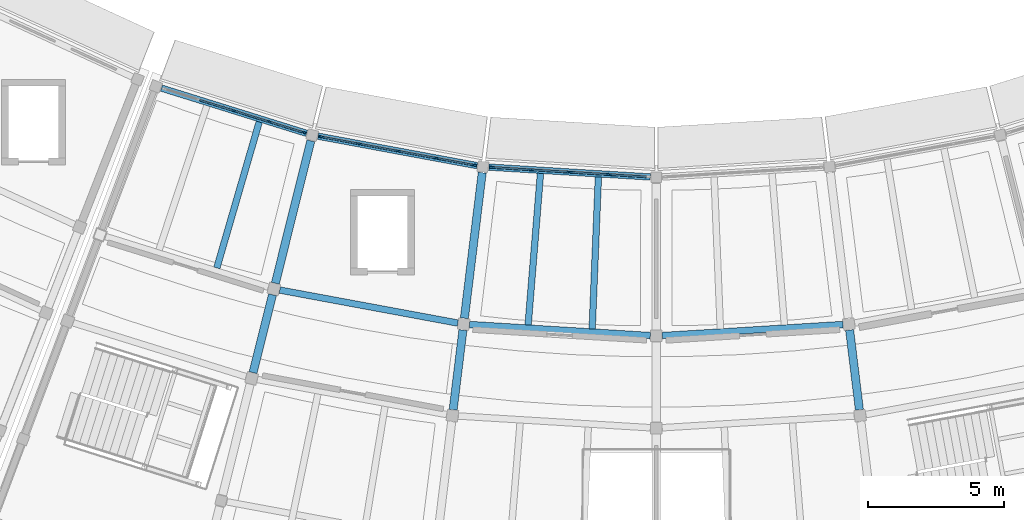
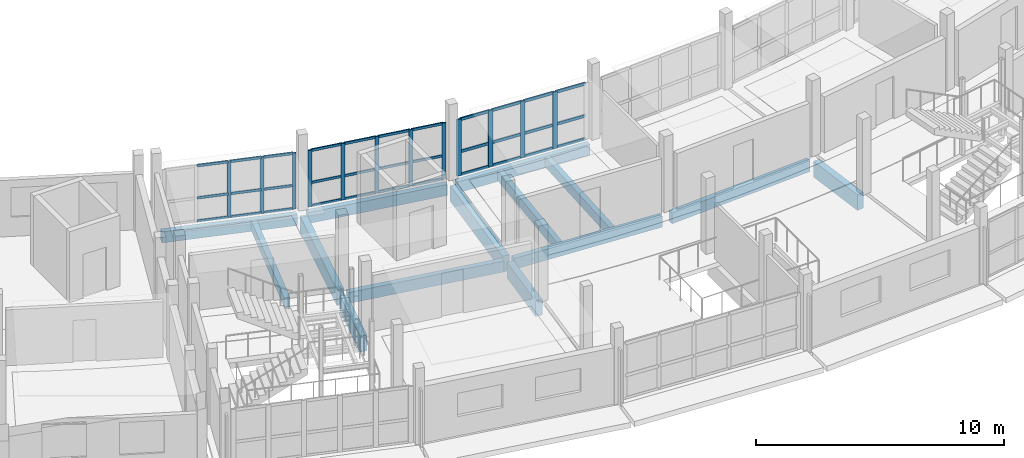
# One storey, part 28 of 77: 45 members, 14 beams, 3 elements without a shape of their own.
"""IFC4 building model written with IfcOpenShell, lengths in metres."""

import ifcopenshell
import ifcopenshell.guid

model = None  # the IFC model being written
_history = None  # IfcOwnerHistory: only IFC2X3 demands one
_inside = {}  # id of a spatial element -> (the spatial element, [elements in it])
_under = {}  # id of a project, library or spatial element -> (it, [spatial elements below it])
_declared = {}  # id of a project -> (the project, [libraries it declares])
_typed = {}  # id of a type object -> (the type object, [elements of that type])
_made_of = {}  # id of a material, layer set ... -> (it, [elements and type objects made of it])


def new_model(schema):
    """Start an empty IFC model of exactly this schema.

    Asked for "IFC4X3", IfcOpenShell would pick the latest addendum, in which some entities
    have other attributes; the version numbers below select the first issue.
    IFC2X3 requires an IfcOwnerHistory on every rooted entity: one is made here for all.
    """
    global model, _history
    if schema == "IFC4X3":
        model = ifcopenshell.file(schema_version=(4, 3, 0, 0))
    else:
        model = ifcopenshell.file(schema=schema)
    _inside.clear()
    _under.clear()
    _declared.clear()
    _typed.clear()
    _made_of.clear()
    _history = None
    if model.schema == "IFC2X3":
        org = make("IfcOrganization", Name="unknown")
        user = make(
            "IfcPersonAndOrganization",
            ThePerson=make("IfcPerson", FamilyName="unknown"),
            TheOrganization=org,
        )
        app = make(
            "IfcApplication",
            ApplicationDeveloper=org,
            Version="unknown",
            ApplicationFullName="unknown",
            ApplicationIdentifier="unknown",
        )
        _history = make(
            "IfcOwnerHistory",
            OwningUser=user,
            OwningApplication=app,
            ChangeAction="ADDED",
            CreationDate=0,
        )
    return model


def make(cls, **values):
    """One entity of the class cls with the attributes given. An attribute that is None is left unset."""
    return model.create_entity(
        cls, **{name: value for name, value in values.items() if value is not None}
    )


def rooted(cls, **values):
    """An entity with a GlobalId (a new one), such as an element, a storey or a relation."""
    return make(cls, GlobalId=ifcopenshell.guid.new(), OwnerHistory=_history, **values)


def si_unit(unit_type, name, prefix=None):
    """IfcSIUnit, for example si_unit("LENGTHUNIT", "METRE", prefix="MILLI")."""
    return make("IfcSIUnit", UnitType=unit_type, Prefix=prefix, Name=name)


def assignment(units):
    """IfcUnitAssignment: the units of a project."""
    return None if units is None else make("IfcUnitAssignment", Units=units)


def point(xyz):
    """IfcCartesianPoint."""
    return None if xyz is None else make("IfcCartesianPoint", Coordinates=xyz)


def direction(xyz):
    """IfcDirection."""
    return None if xyz is None else make("IfcDirection", DirectionRatios=xyz)


def frame(location, z_axis=None, x_axis=None):
    """IfcAxis2Placement3D, a coordinate frame: its origin and axes. An axis left out is left unset."""
    return make(
        "IfcAxis2Placement3D",
        Location=point(location),
        Axis=direction(z_axis),
        RefDirection=direction(x_axis),
    )


def frame_2d(location, x_axis=None):
    """IfcAxis2Placement2D, a coordinate frame in the plane: its origin and x axis."""
    return make(
        "IfcAxis2Placement2D", Location=point(location), RefDirection=direction(x_axis)
    )


def origin():
    """The frame at (0, 0, 0) with its axes left unset."""
    return frame((0.0, 0.0, 0.0))


def origin_2d():
    """The frame at (0, 0) in the plane with its x axis left unset."""
    return frame_2d((0.0, 0.0))


def place(relative_to, where):
    """IfcLocalPlacement: puts the frame where relative to a parent placement (None: the world)."""
    return make(
        "IfcLocalPlacement", PlacementRelTo=relative_to, RelativePlacement=where
    )


def context(
    kind, dimensions, precision=None, world=None, true_north=None, identifier=None
):
    """IfcGeometricRepresentationContext, for example the 3D "Model" context."""
    return make(
        "IfcGeometricRepresentationContext",
        ContextIdentifier=identifier,
        ContextType=kind,
        CoordinateSpaceDimension=dimensions,
        Precision=precision,
        WorldCoordinateSystem=world,
        TrueNorth=true_north,
    )


def subcontext(parent, identifier, kind, view, scale=None):
    """IfcGeometricRepresentationSubContext, for example "Body" below "Model"."""
    return make(
        "IfcGeometricRepresentationSubContext",
        ContextIdentifier=identifier,
        ContextType=kind,
        ParentContext=parent,
        TargetScale=scale,
        TargetView=view,
    )


def project(units=None, contexts=None):
    """IfcProject with its units and contexts."""
    return rooted(
        "IfcProject",
        Name="project",
        RepresentationContexts=contexts,
        UnitsInContext=assignment(units),
    )


def spatial(cls, under=None, at=None, **own):
    """A site, building, storey or space (cls), placed at a placement, below another one or the project."""
    s = rooted(cls, ObjectPlacement=at, **own)
    if under is not None:
        _under.setdefault(under.id(), (under, []))[1].append(s)
    return s


def profile(cls, at=None, kind="AREA", **sizes):
    """A parametric profile (cls). Its sizes go by their IFC names, for example OverallWidth=200.0."""
    return make(cls, ProfileType=kind, Position=at, **sizes)


def rectangle(**sizes):
    """IfcRectangleProfileDef."""
    return profile("IfcRectangleProfileDef", **sizes)


def extrude(swept, where, along, depth):
    """IfcExtrudedAreaSolid: the profile swept, set in the frame where, extruded along a direction by depth."""
    return make(
        "IfcExtrudedAreaSolid",
        SweptArea=swept,
        Position=where,
        ExtrudedDirection=direction(along),
        Depth=depth,
    )


def shape(context_of_items, identifier, shape_type, items):
    """IfcShapeRepresentation: the items that make up one representation, for example the "Body"."""
    return make(
        "IfcShapeRepresentation",
        ContextOfItems=context_of_items,
        RepresentationIdentifier=identifier,
        RepresentationType=shape_type,
        Items=items,
    )


def material(Name=None, Category=None):
    """IfcMaterial."""
    return make("IfcMaterial", Name=Name, Category=Category)


def layer(
    of_material, thickness, ventilated=None, Name=None, Category=None, Priority=None
):
    """IfcMaterialLayer: one layer of a wall or slab, of a material (None: an air gap)."""
    return make(
        "IfcMaterialLayer",
        Material=of_material,
        LayerThickness=thickness,
        IsVentilated=ventilated,
        Name=Name,
        Category=Category,
        Priority=Priority,
    )


def layer_set(layers, Name=None):
    """IfcMaterialLayerSet."""
    return make("IfcMaterialLayerSet", MaterialLayers=layers, LayerSetName=Name)


def material_profile(
    of_material, cross_section, Name=None, Category=None, Priority=None
):
    """IfcMaterialProfile: a cross section and its material."""
    return make(
        "IfcMaterialProfile",
        Name=Name,
        Material=of_material,
        Profile=cross_section,
        Priority=Priority,
        Category=Category,
    )


def profile_set(profiles, Name=None, composite=None):
    """IfcMaterialProfileSet."""
    return make(
        "IfcMaterialProfileSet",
        Name=Name,
        MaterialProfiles=profiles,
        CompositeProfile=composite,
    )


def made_of(thing, what):
    """Note that an element or type object is made of a material, layer set ...; save() writes the relation."""
    if what is not None:
        _made_of.setdefault(what.id(), (what, []))[1].append(thing)
    return thing


def type_object(cls, material=None, **own):
    """A type object (cls), such as IfcWallType, which elements share."""
    return made_of(rooted(cls, **own), material)


def element(
    cls,
    number,
    at=None,
    inside=None,
    cuts=None,
    type_object=None,
    material=None,
    context=None,
    identifier="Body",
    shape_type=None,
    held_by="IfcProductDefinitionShape",
    body=None,
    shapes=None,
    **own,
):
    """One element of the class cls, such as IfcWall. Its Tag is "e" and its number.

    at: its placement. inside: the storey or other place that contains it. cuts: it is an
    opening in that element (IfcRelVoidsElement). A single representation is given by context,
    identifier, shape_type and body (its items); several are given by shapes. held_by: the class
    of the entity that holds the representations. save() writes the other relations.
    """
    e = rooted(cls, Tag="e%d" % number, ObjectPlacement=at, **own)
    if body is not None:
        shapes = [shape(context, identifier, shape_type, body)]
    if shapes is not None:
        e.Representation = make(held_by, Representations=shapes)
    if inside is not None:
        _inside.setdefault(inside.id(), (inside, []))[1].append(e)
    if cuts is not None:
        rooted(
            "IfcRelVoidsElement", RelatingBuildingElement=cuts, RelatedOpeningElement=e
        )
    if type_object is not None:
        _typed.setdefault(type_object.id(), (type_object, []))[1].append(e)
    return made_of(e, material)


def aggregate(whole, parts):
    """IfcRelAggregates: a whole, such as a stair, and the parts it consists of."""
    return rooted("IfcRelAggregates", RelatingObject=whole, RelatedObjects=parts)


def save(model, path):
    """Write the relations noted so far, then the file.

    IfcRelAggregates (storeys below a building ...), IfcRelContainedInSpatialStructure (elements
    in a storey), IfcRelDefinesByType, IfcRelAssociatesMaterial and IfcRelDeclares: one each for
    every whole, place, type object, material and project.
    """
    for whole, parts in _under.values():
        aggregate(whole, parts)
    for where, things in _inside.values():
        rooted(
            "IfcRelContainedInSpatialStructure",
            RelatedElements=things,
            RelatingStructure=where,
        )
    for kind, things in _typed.values():
        rooted("IfcRelDefinesByType", RelatedObjects=things, RelatingType=kind)
    for what, things in _made_of.values():
        rooted("IfcRelAssociatesMaterial", RelatedObjects=things, RelatingMaterial=what)
    for by, libraries in _declared.values():
        rooted("IfcRelDeclares", RelatingContext=by, RelatedDefinitions=libraries)
    model.write(path)


model = new_model("IFC4")

# Units and contexts
model_context = context("Model", 3, precision=1e-05, world=origin(), true_north=direction((0.0, 1.0)))
body_context = subcontext(model_context, "Body", "Model", "MODEL_VIEW")
ifc_project = project(units=[si_unit("LENGTHUNIT", "METRE"), si_unit("AREAUNIT", "SQUARE_METRE"), si_unit("VOLUMEUNIT", "CUBIC_METRE"), si_unit("PLANEANGLEUNIT", "RADIAN"), si_unit("MASSUNIT", "GRAM", prefix="KILO")], contexts=[model_context])

# Site, building, storey
site_placement = place(None, origin())
site = spatial("IfcSite", under=ifc_project, at=site_placement, CompositionType="ELEMENT")
building_placement = place(site_placement, origin())
building = spatial("IfcBuilding", under=site, at=building_placement, Name="Caldaven Crescent School", CompositionType="ELEMENT")
storey_placement = place(building_placement, frame((0.0, 0.0, 4.419921875)))
storey = spatial("IfcBuildingStorey", under=building, at=storey_placement, Name="L01", CompositionType="ELEMENT", Elevation=4.419921875)

# Beams
ifc_material_1 = material(Name="Glulam MLE24h (GL28h)", Category="wood")
ifc_material_profile_1 = material_profile(ifc_material_1, rectangle(XDim=0.239990234375, YDim=0.5400390625, at=origin_2d()), Name="MLE 240x540")
ifc_profile_set_1 = profile_set([ifc_material_profile_1], Name="Glulam MLE24h (GL28h)")
beam_type_1 = type_object("IfcBeamType", Name="BM-GL54", PredefinedType="BEAM", material=ifc_profile_set_1)
beam_1_placement = place(storey_placement, frame((74.1123046875, 39.3916015625, -0.489990234375), z_axis=(0.983254114628, -0.182239803741, 0.0), x_axis=(0.182239803741, 0.983254114628, 0.0)))
element("IfcBeam", 1, at=beam_1_placement, inside=storey, type_object=beam_type_1, Name="BMT-V5-L01-1031", PredefinedType="BEAM", context=body_context, shape_type="SweptSolid", body=[
    extrude(rectangle(XDim=0.239990234375, YDim=0.5400390625, at=origin_2d()), origin(), (0.0, 0.0, 1.0), 6.67822265625),
])
for number, where, z_axis, x_axis, name in (
    (2, (81.114501953125, 38.12109375, -0.489990234375), (0.998134763183, -0.06104911568, 0.0), (0.06104911568, 0.998134763183, 0.0), "BMT-V5-L01-1038"),
    (3, (88.219482421875, 37.71337890625, -0.489990234375), (0.998134763183, 0.06104911568, 0.0), (-0.06104911568, 0.998134763183, 0.0), "BMT-V5-L01-1047"),
):
    element("IfcBeam", number, at=place(storey_placement, frame(where, z_axis=z_axis, x_axis=x_axis)), inside=storey, type_object=beam_type_1, Name=name, PredefinedType="BEAM", context=body_context, shape_type="SweptSolid", body=[
        extrude(rectangle(XDim=0.239990234375, YDim=0.5400390625, at=origin_2d()), origin(), (0.0, 0.0, 1.0), 6.678466796875),
    ])
ifc_material_profile_2 = material_profile(ifc_material_1, rectangle(XDim=0.300048828125, YDim=0.780029296875, at=origin_2d()), Name="MLE 300x780")
ifc_profile_set_2 = profile_set([ifc_material_profile_2], Name="Glulam MLE24h (GL28h)")
beam_type_2 = type_object("IfcBeamType", Name="BM-GL78", PredefinedType="BEAM", material=ifc_profile_set_2)
beam_2_placement = place(storey_placement, frame((75.258056640625, 44.89453125, -0.60986328125), z_axis=(-0.241930333906, -0.970293622331, 0.0), x_axis=(0.970293622331, -0.241930333906, 0.0)))
element("IfcBeam", 4, at=beam_2_placement, inside=storey, type_object=beam_type_2, Name="BMR-V5-L01-1000", PredefinedType="BEAM", context=body_context, shape_type="SweptSolid", body=[
    extrude(rectangle(XDim=0.300048828125, YDim=0.780029296875, at=origin_2d()), origin(), (0.0, 0.0, 1.0), 5.409912109375),
])
beam_3_placement = place(storey_placement, frame((73.8427734375, 39.21826171875, -0.60986328125), z_axis=(-0.241914547644, -0.970297558298, 0.0), x_axis=(0.970297558298, -0.241914547644, 0.0)))
element("IfcBeam", 5, at=beam_3_placement, inside=storey, type_object=beam_type_2, Name="BMR-V5-L01-1001", PredefinedType="BEAM", context=body_context, shape_type="SweptSolid", body=[
    extrude(rectangle(XDim=0.300048828125, YDim=0.780029296875, at=origin_2d()), origin(), (0.0, 0.0, 1.0), 2.9599609375),
])
beam_4_placement = place(storey_placement, frame((81.5810546875, 43.72265625, -0.60986328125), z_axis=(-0.121846063759, -0.992549009745, 0.0), x_axis=(0.992549009745, -0.121846063759, 0.0)))
element("IfcBeam", 6, at=beam_4_placement, inside=storey, type_object=beam_type_2, Name="BMR-V5-L01-1004", PredefinedType="BEAM", context=body_context, shape_type="SweptSolid", body=[
    extrude(rectangle(XDim=0.300048828125, YDim=0.780029296875, at=origin_2d()), origin(), (0.0, 0.0, 1.0), 5.409912109375),
])
for number, where, z_axis, x_axis, name in (
    (7, (80.8681640625, 37.916259765625, -0.60986328125), (-0.121821451682, -0.992552030833, 0.0), (0.992552030833, -0.121821451682, 0.0), "BMR-V5-L01-1005"),
    (8, (95.1318359375, 37.916259765625, -0.60986328125), (0.121821451682, -0.992552030833, 0.0), (0.992552030833, 0.121821451682, 0.0), "BMR-V5-L01-1013"),
):
    element("IfcBeam", number, at=place(storey_placement, frame(where, z_axis=z_axis, x_axis=x_axis)), inside=storey, type_object=beam_type_2, Name=name, PredefinedType="BEAM", context=body_context, shape_type="SweptSolid", body=[
        extrude(rectangle(XDim=0.300048828125, YDim=0.780029296875, at=origin_2d()), origin(), (0.0, 0.0, 1.0), 2.9599609375),
    ])

# Curtain wall, members
ifc_material_2 = material(Name="Anodised aluminium AA 6063-T6 and low-E double glazing", Category="aluminium")
ifc_layer_1 = layer(ifc_material_2, 0.2099609375)
ifc_layer_set_1 = layer_set([ifc_layer_1], Name="Anodised aluminium AA 6063-T6 and low-E double glazing")
curtain_wall_type_1 = type_object("IfcCurtainWallType", Name="CW-SYS3", PredefinedType="NOTDEFINED", material=ifc_layer_set_1)
curtain_wall_1_placement = place(storey_placement, origin())
curtain_wall_1 = element("IfcCurtainWall", 9, at=curtain_wall_1_placement, inside=storey, type_object=curtain_wall_type_1, Name="CW-L01-121", PredefinedType="NOTDEFINED")
ifc_material_3 = material(Name="Anodised aluminium AA 6063-T6", Category="aluminium")
ifc_material_profile_3 = material_profile(ifc_material_3, rectangle(XDim=0.06005859375, YDim=0.14990234375, at=origin_2d()), Name="CWM 60x150")
ifc_profile_set_3 = profile_set([ifc_material_profile_3], Name="Anodised aluminium AA 6063-T6")
member_type_1 = type_object("IfcMemberType", Name="CWM-T1", PredefinedType="MULLION", material=ifc_profile_set_3)
member_1_placement = place(storey_placement, frame((72.42626953125, 46.0068359375, 0.0), z_axis=(0.0, 0.0, 1.0), x_axis=(0.297419758694, 0.954746818344, 0.0)))
member_1 = element("IfcMember", 10, at=member_1_placement, type_object=member_type_1, Name="CW3 mullion 3", PredefinedType="MULLION", context=body_context, shape_type="SweptSolid", body=[
    extrude(rectangle(XDim=0.06005859375, YDim=0.14990234375, at=origin_2d()), origin(), (0.0, 0.0, 1.0), 2.780029296875),
])
member_2_placement = place(storey_placement, frame((73.7255859375, 45.60205078125, 0.0), z_axis=(0.0, 0.0, 1.0), x_axis=(0.297419758694, 0.954746818344, 0.0)))
member_2 = element("IfcMember", 11, at=member_2_placement, type_object=member_type_1, Name="CW3 mullion 4", PredefinedType="MULLION", context=body_context, shape_type="SweptSolid", body=[
    extrude(rectangle(XDim=0.06005859375, YDim=0.14990234375, at=origin_2d()), origin(), (0.0, 0.0, 1.0), 2.780029296875),
])
member_3_placement = place(storey_placement, frame((74.99609375, 45.2060546875, 0.0), z_axis=(0.0, 0.0, 1.0), x_axis=(0.297419758694, 0.954746818344, 0.0)))
member_3 = element("IfcMember", 12, at=member_3_placement, type_object=member_type_1, Name="CW3 mullion 5", PredefinedType="MULLION", context=body_context, shape_type="SweptSolid", body=[
    extrude(rectangle(XDim=0.06005859375, YDim=0.14990234375, at=origin_2d()), origin(), (0.0, 0.0, 1.0), 2.780029296875),
])

ifc_layer_2 = layer(ifc_material_2, 0.22998046875)
ifc_layer_set_2 = layer_set([ifc_layer_2], Name="Anodised aluminium AA 6063-T6 and low-E double glazing")
curtain_wall_type_2 = type_object("IfcCurtainWallType", Name="CW-SYS4", PredefinedType="NOTDEFINED", material=ifc_layer_set_2)
curtain_wall_2_placement = place(storey_placement, origin())
curtain_wall_2 = element("IfcCurtainWall", 13, at=curtain_wall_2_placement, inside=storey, type_object=curtain_wall_type_2, Name="CW-L01-123", PredefinedType="NOTDEFINED")
ifc_material_profile_4 = material_profile(ifc_material_3, rectangle(XDim=0.06494140625, YDim=0.179931640625, at=origin_2d()), Name="CWM 65x180")
ifc_profile_set_4 = profile_set([ifc_material_profile_4], Name="Anodised aluminium AA 6063-T6")
member_type_2 = type_object("IfcMemberType", Name="CWM-T2", PredefinedType="MULLION", material=ifc_profile_set_4)
member_4_placement = place(storey_placement, frame((75.63818359375, 45.04736328125, 0.0), z_axis=(0.0, 0.0, 1.0), x_axis=(0.182236405836, 0.983254744401, 0.0)))
member_4 = element("IfcMember", 14, at=member_4_placement, type_object=member_type_2, Name="CW4 mullion 1", PredefinedType="MULLION", context=body_context, shape_type="SweptSolid", body=[
    extrude(rectangle(XDim=0.06494140625, YDim=0.179931640625, at=origin_2d()), origin(), (0.0, 0.0, 1.0), 2.780029296875),
])
member_5_placement = place(storey_placement, frame((77.032958984375, 44.788818359375, 0.0), z_axis=(0.0, 0.0, 1.0), x_axis=(0.182236405836, 0.983254744401, 0.0)))
member_5 = element("IfcMember", 15, at=member_5_placement, type_object=member_type_2, Name="CW4 mullion 2", PredefinedType="MULLION", context=body_context, shape_type="SweptSolid", body=[
    extrude(rectangle(XDim=0.06494140625, YDim=0.179931640625, at=origin_2d()), origin(), (0.0, 0.0, 1.0), 2.780029296875),
])
member_6_placement = place(storey_placement, frame((78.45947265625, 44.5244140625, 0.0), z_axis=(0.0, 0.0, 1.0), x_axis=(0.182236405836, 0.983254744401, 0.0)))
member_6 = element("IfcMember", 16, at=member_6_placement, type_object=member_type_2, Name="CW4 mullion 3", PredefinedType="MULLION", context=body_context, shape_type="SweptSolid", body=[
    extrude(rectangle(XDim=0.06494140625, YDim=0.179931640625, at=origin_2d()), origin(), (0.0, 0.0, 1.0), 2.780029296875),
])
member_7_placement = place(storey_placement, frame((79.88623046875, 44.260009765625, 0.0), z_axis=(0.0, 0.0, 1.0), x_axis=(0.182236405836, 0.983254744401, 0.0)))
member_7 = element("IfcMember", 17, at=member_7_placement, type_object=member_type_2, Name="CW4 mullion 4", PredefinedType="MULLION", context=body_context, shape_type="SweptSolid", body=[
    extrude(rectangle(XDim=0.06494140625, YDim=0.179931640625, at=origin_2d()), origin(), (0.0, 0.0, 1.0), 2.780029296875),
])
member_8_placement = place(storey_placement, frame((81.281005859375, 44.00146484375, 0.0), z_axis=(0.0, 0.0, 1.0), x_axis=(0.182236405836, 0.983254744401, 0.0)))
member_8 = element("IfcMember", 18, at=member_8_placement, type_object=member_type_2, Name="CW4 mullion 5", PredefinedType="MULLION", context=body_context, shape_type="SweptSolid", body=[
    extrude(rectangle(XDim=0.06494140625, YDim=0.179931640625, at=origin_2d()), origin(), (0.0, 0.0, 1.0), 2.780029296875),
])

ifc_layer_3 = layer(ifc_material_2, 0.169921875)
ifc_layer_set_3 = layer_set([ifc_layer_3], Name="Anodised aluminium AA 6063-T6 and low-E double glazing")
curtain_wall_type_3 = type_object("IfcCurtainWallType", Name="CW-SYS1", PredefinedType="NOTDEFINED", material=ifc_layer_set_3)
curtain_wall_3_placement = place(storey_placement, origin())
curtain_wall_3 = element("IfcCurtainWall", 19, at=curtain_wall_3_placement, inside=storey, type_object=curtain_wall_type_3, Name="CW-L01-124", PredefinedType="NOTDEFINED")
ifc_material_profile_5 = material_profile(ifc_material_3, rectangle(XDim=0.070068359375, YDim=0.2099609375, at=origin_2d()), Name="CWM 70x210")
ifc_profile_set_5 = profile_set([ifc_material_profile_5], Name="Anodised aluminium AA 6063-T6")
member_type_3 = type_object("IfcMemberType", Name="CWM-T3", PredefinedType="MULLION", material=ifc_profile_set_5)
member_9_placement = place(storey_placement, frame((81.9423828125, 43.92041015625, 0.0), z_axis=(0.0, 0.0, 1.0), x_axis=(0.061049319496, 0.998134750717, 0.0)))
member_9 = element("IfcMember", 20, at=member_9_placement, type_object=member_type_3, Name="CW1 mullion 1", PredefinedType="MULLION", context=body_context, shape_type="SweptSolid", body=[
    extrude(rectangle(XDim=0.070068359375, YDim=0.2099609375, at=origin_2d()), origin(), (0.0, 0.0, 1.0), 2.780029296875),
])
member_10_placement = place(storey_placement, frame((83.355712890625, 43.833984375, 0.0), z_axis=(0.0, 0.0, 1.0), x_axis=(0.061049319496, 0.998134750717, 0.0)))
member_10 = element("IfcMember", 21, at=member_10_placement, type_object=member_type_3, Name="CW1 mullion 2", PredefinedType="MULLION", context=body_context, shape_type="SweptSolid", body=[
    extrude(rectangle(XDim=0.070068359375, YDim=0.2099609375, at=origin_2d()), origin(), (0.0, 0.0, 1.0), 2.780029296875),
])
member_11_placement = place(storey_placement, frame((84.803955078125, 43.745361328125, 0.0), z_axis=(0.0, 0.0, 1.0), x_axis=(0.061049319496, 0.998134750717, 0.0)))
member_11 = element("IfcMember", 22, at=member_11_placement, type_object=member_type_3, Name="CW1 mullion 3", PredefinedType="MULLION", context=body_context, shape_type="SweptSolid", body=[
    extrude(rectangle(XDim=0.070068359375, YDim=0.2099609375, at=origin_2d()), origin(), (0.0, 0.0, 1.0), 2.780029296875),
])
member_12_placement = place(storey_placement, frame((86.252197265625, 43.656982421875, 0.0), z_axis=(0.0, 0.0, 1.0), x_axis=(0.061049319496, 0.998134750717, 0.0)))
member_12 = element("IfcMember", 23, at=member_12_placement, type_object=member_type_3, Name="CW1 mullion 4", PredefinedType="MULLION", context=body_context, shape_type="SweptSolid", body=[
    extrude(rectangle(XDim=0.070068359375, YDim=0.2099609375, at=origin_2d()), origin(), (0.0, 0.0, 1.0), 2.780029296875),
])

# Member
ifc_material_profile_6 = material_profile(ifc_material_3, rectangle(XDim=0.06005859375, YDim=0.1201171875, at=origin_2d()), Name="CWT 60x120")
ifc_profile_set_6 = profile_set([ifc_material_profile_6], Name="Anodised aluminium AA 6063-T6")
member_type_4 = type_object("IfcMemberType", Name="CWT-T1", PredefinedType="USERDEFINED", material=ifc_profile_set_6)
member_13_placement = place(storey_placement, frame((71.155517578125, 46.402587890625, 0.030029296875), z_axis=(0.954730104674, -0.297473405919, 0.0), x_axis=(0.297473405919, 0.954730104674, 0.0)))
member_13 = element("IfcMember", 24, at=member_13_placement, type_object=member_type_4, Name="CW3 transom 2.1", ObjectType="TRANSOM", PredefinedType="USERDEFINED", context=body_context, shape_type="SweptSolid", body=[
    extrude(rectangle(XDim=0.06005859375, YDim=0.1201171875, at=origin_2d()), origin(), (0.0, 0.0, 1.0), 1.30078125),
])

member_14_placement = place(storey_placement, frame((71.155517578125, 46.402587890625, 1.16796875), z_axis=(0.954730104674, -0.297473405919, 0.0), x_axis=(0.297473405919, 0.954730104674, 0.0)))
member_14 = element("IfcMember", 25, at=member_14_placement, type_object=member_type_4, Name="CW3 transom 2.2", ObjectType="TRANSOM", PredefinedType="USERDEFINED", context=body_context, shape_type="SweptSolid", body=[
    extrude(rectangle(XDim=0.06005859375, YDim=0.1201171875, at=origin_2d()), origin(), (0.0, 0.0, 1.0), 1.30078125),
])

member_15_placement = place(storey_placement, frame((71.155517578125, 46.402587890625, 2.75), z_axis=(0.954730104674, -0.297473405919, 0.0), x_axis=(0.297473405919, 0.954730104674, 0.0)))
member_15 = element("IfcMember", 26, at=member_15_placement, type_object=member_type_4, Name="CW3 transom 2.3", ObjectType="TRANSOM", PredefinedType="USERDEFINED", context=body_context, shape_type="SweptSolid", body=[
    extrude(rectangle(XDim=0.06005859375, YDim=0.1201171875, at=origin_2d()), origin(), (0.0, 0.0, 1.0), 1.30078125),
])

member_16_placement = place(storey_placement, frame((72.454833984375, 45.997802734375, 0.030029296875), z_axis=(0.954730104674, -0.297473405919, 0.0), x_axis=(0.297473405919, 0.954730104674, 0.0)))
member_16 = element("IfcMember", 27, at=member_16_placement, type_object=member_type_4, Name="CW3 transom 3.1", ObjectType="TRANSOM", PredefinedType="USERDEFINED", context=body_context, shape_type="SweptSolid", body=[
    extrude(rectangle(XDim=0.06005859375, YDim=0.1201171875, at=origin_2d()), origin(), (0.0, 0.0, 1.0), 1.30078125),
])

member_17_placement = place(storey_placement, frame((72.454833984375, 45.997802734375, 1.16796875), z_axis=(0.954730104674, -0.297473405919, 0.0), x_axis=(0.297473405919, 0.954730104674, 0.0)))
member_17 = element("IfcMember", 28, at=member_17_placement, type_object=member_type_4, Name="CW3 transom 3.2", ObjectType="TRANSOM", PredefinedType="USERDEFINED", context=body_context, shape_type="SweptSolid", body=[
    extrude(rectangle(XDim=0.06005859375, YDim=0.1201171875, at=origin_2d()), origin(), (0.0, 0.0, 1.0), 1.30078125),
])

member_18_placement = place(storey_placement, frame((72.454833984375, 45.997802734375, 2.75), z_axis=(0.954730104674, -0.297473405919, 0.0), x_axis=(0.297473405919, 0.954730104674, 0.0)))
member_18 = element("IfcMember", 29, at=member_18_placement, type_object=member_type_4, Name="CW3 transom 3.3", ObjectType="TRANSOM", PredefinedType="USERDEFINED", context=body_context, shape_type="SweptSolid", body=[
    extrude(rectangle(XDim=0.06005859375, YDim=0.1201171875, at=origin_2d()), origin(), (0.0, 0.0, 1.0), 1.30078125),
])

member_19_placement = place(storey_placement, frame((73.754150390625, 45.593017578125, 0.030029296875), z_axis=(0.954759851562, -0.297377917549, 0.0), x_axis=(0.297377917549, 0.954759851562, 0.0)))
member_19 = element("IfcMember", 30, at=member_19_placement, type_object=member_type_4, Name="CW3 transom 4.1", ObjectType="TRANSOM", PredefinedType="USERDEFINED", context=body_context, shape_type="SweptSolid", body=[
    extrude(rectangle(XDim=0.06005859375, YDim=0.1201171875, at=origin_2d()), origin(), (0.0, 0.0, 1.0), 1.270751953125),
])

member_20_placement = place(storey_placement, frame((73.754150390625, 45.593017578125, 1.16796875), z_axis=(0.954759851562, -0.297377917549, 0.0), x_axis=(0.297377917549, 0.954759851562, 0.0)))
member_20 = element("IfcMember", 31, at=member_20_placement, type_object=member_type_4, Name="CW3 transom 4.2", ObjectType="TRANSOM", PredefinedType="USERDEFINED", context=body_context, shape_type="SweptSolid", body=[
    extrude(rectangle(XDim=0.06005859375, YDim=0.1201171875, at=origin_2d()), origin(), (0.0, 0.0, 1.0), 1.270751953125),
])

member_21_placement = place(storey_placement, frame((73.754150390625, 45.593017578125, 2.75), z_axis=(0.954759851562, -0.297377917549, 0.0), x_axis=(0.297377917549, 0.954759851562, 0.0)))
member_21 = element("IfcMember", 32, at=member_21_placement, type_object=member_type_4, Name="CW3 transom 4.3", ObjectType="TRANSOM", PredefinedType="USERDEFINED", context=body_context, shape_type="SweptSolid", body=[
    extrude(rectangle(XDim=0.06005859375, YDim=0.1201171875, at=origin_2d()), origin(), (0.0, 0.0, 1.0), 1.270751953125),
])

aggregate(curtain_wall_1, [member_1, member_2, member_3, member_13, member_14, member_15, member_16, member_17, member_18, member_19, member_20, member_21])

member_22_placement = place(storey_placement, frame((75.670166015625, 45.04150390625, 0.030029296875), z_axis=(0.983264057672, -0.182186149009, 0.0), x_axis=(0.182186149009, 0.983264057672, 0.0)))
member_22 = element("IfcMember", 33, at=member_22_placement, type_object=member_type_4, Name="CW4 transom 1.1", ObjectType="TRANSOM", PredefinedType="USERDEFINED", context=body_context, shape_type="SweptSolid", body=[
    extrude(rectangle(XDim=0.06005859375, YDim=0.1201171875, at=origin_2d()), origin(), (0.0, 0.0, 1.0), 1.353515625),
])

member_23_placement = place(storey_placement, frame((75.670166015625, 45.04150390625, 1.16796875), z_axis=(0.983264057672, -0.182186149009, 0.0), x_axis=(0.182186149009, 0.983264057672, 0.0)))
member_23 = element("IfcMember", 34, at=member_23_placement, type_object=member_type_4, Name="CW4 transom 1.2", ObjectType="TRANSOM", PredefinedType="USERDEFINED", context=body_context, shape_type="SweptSolid", body=[
    extrude(rectangle(XDim=0.06005859375, YDim=0.1201171875, at=origin_2d()), origin(), (0.0, 0.0, 1.0), 1.353515625),
])

member_24_placement = place(storey_placement, frame((75.670166015625, 45.04150390625, 2.75), z_axis=(0.983264057672, -0.182186149009, 0.0), x_axis=(0.182186149009, 0.983264057672, 0.0)))
member_24 = element("IfcMember", 35, at=member_24_placement, type_object=member_type_4, Name="CW4 transom 1.3", ObjectType="TRANSOM", PredefinedType="USERDEFINED", context=body_context, shape_type="SweptSolid", body=[
    extrude(rectangle(XDim=0.06005859375, YDim=0.1201171875, at=origin_2d()), origin(), (0.0, 0.0, 1.0), 1.353515625),
])

member_25_placement = place(storey_placement, frame((77.06494140625, 44.782958984375, 0.030029296875), z_axis=(0.983241097753, -0.182310020812, 0.0), x_axis=(0.182310020812, 0.983241097753, 0.0)))
member_25 = element("IfcMember", 36, at=member_25_placement, type_object=member_type_4, Name="CW4 transom 2.1", ObjectType="TRANSOM", PredefinedType="USERDEFINED", context=body_context, shape_type="SweptSolid", body=[
    extrude(rectangle(XDim=0.06005859375, YDim=0.1201171875, at=origin_2d()), origin(), (0.0, 0.0, 1.0), 1.385986328125),
])

member_26_placement = place(storey_placement, frame((77.06494140625, 44.782958984375, 1.16796875), z_axis=(0.983241097753, -0.182310020812, 0.0), x_axis=(0.182310020812, 0.983241097753, 0.0)))
member_26 = element("IfcMember", 37, at=member_26_placement, type_object=member_type_4, Name="CW4 transom 2.2", ObjectType="TRANSOM", PredefinedType="USERDEFINED", context=body_context, shape_type="SweptSolid", body=[
    extrude(rectangle(XDim=0.06005859375, YDim=0.1201171875, at=origin_2d()), origin(), (0.0, 0.0, 1.0), 1.385986328125),
])

member_27_placement = place(storey_placement, frame((77.06494140625, 44.782958984375, 2.75), z_axis=(0.983241097753, -0.182310020812, 0.0), x_axis=(0.182310020812, 0.983241097753, 0.0)))
member_27 = element("IfcMember", 38, at=member_27_placement, type_object=member_type_4, Name="CW4 transom 2.3", ObjectType="TRANSOM", PredefinedType="USERDEFINED", context=body_context, shape_type="SweptSolid", body=[
    extrude(rectangle(XDim=0.06005859375, YDim=0.1201171875, at=origin_2d()), origin(), (0.0, 0.0, 1.0), 1.385986328125),
])

member_28_placement = place(storey_placement, frame((78.491455078125, 44.5185546875, 0.030029296875), z_axis=(0.983241097753, -0.182310020812, 0.0), x_axis=(0.182310020812, 0.983241097753, 0.0)))
member_28 = element("IfcMember", 39, at=member_28_placement, type_object=member_type_4, Name="CW4 transom 3.1", ObjectType="TRANSOM", PredefinedType="USERDEFINED", context=body_context, shape_type="SweptSolid", body=[
    extrude(rectangle(XDim=0.06005859375, YDim=0.1201171875, at=origin_2d()), origin(), (0.0, 0.0, 1.0), 1.385986328125),
])

member_29_placement = place(storey_placement, frame((78.491455078125, 44.5185546875, 1.16796875), z_axis=(0.983241097753, -0.182310020812, 0.0), x_axis=(0.182310020812, 0.983241097753, 0.0)))
member_29 = element("IfcMember", 40, at=member_29_placement, type_object=member_type_4, Name="CW4 transom 3.2", ObjectType="TRANSOM", PredefinedType="USERDEFINED", context=body_context, shape_type="SweptSolid", body=[
    extrude(rectangle(XDim=0.06005859375, YDim=0.1201171875, at=origin_2d()), origin(), (0.0, 0.0, 1.0), 1.385986328125),
])

member_30_placement = place(storey_placement, frame((78.491455078125, 44.5185546875, 2.75), z_axis=(0.983241097753, -0.182310020812, 0.0), x_axis=(0.182310020812, 0.983241097753, 0.0)))
member_30 = element("IfcMember", 41, at=member_30_placement, type_object=member_type_4, Name="CW4 transom 3.3", ObjectType="TRANSOM", PredefinedType="USERDEFINED", context=body_context, shape_type="SweptSolid", body=[
    extrude(rectangle(XDim=0.06005859375, YDim=0.1201171875, at=origin_2d()), origin(), (0.0, 0.0, 1.0), 1.385986328125),
])

member_31_placement = place(storey_placement, frame((79.918212890625, 44.254150390625, 0.030029296875), z_axis=(0.983264057672, -0.182186149009, 0.0), x_axis=(0.182186149009, 0.983264057672, 0.0)))
member_31 = element("IfcMember", 42, at=member_31_placement, type_object=member_type_4, Name="CW4 transom 4.1", ObjectType="TRANSOM", PredefinedType="USERDEFINED", context=body_context, shape_type="SweptSolid", body=[
    extrude(rectangle(XDim=0.06005859375, YDim=0.1201171875, at=origin_2d()), origin(), (0.0, 0.0, 1.0), 1.353515625),
])

member_32_placement = place(storey_placement, frame((79.918212890625, 44.254150390625, 1.16796875), z_axis=(0.983264057672, -0.182186149009, 0.0), x_axis=(0.182186149009, 0.983264057672, 0.0)))
member_32 = element("IfcMember", 43, at=member_32_placement, type_object=member_type_4, Name="CW4 transom 4.2", ObjectType="TRANSOM", PredefinedType="USERDEFINED", context=body_context, shape_type="SweptSolid", body=[
    extrude(rectangle(XDim=0.06005859375, YDim=0.1201171875, at=origin_2d()), origin(), (0.0, 0.0, 1.0), 1.353515625),
])

member_33_placement = place(storey_placement, frame((79.918212890625, 44.254150390625, 2.75), z_axis=(0.983264057672, -0.182186149009, 0.0), x_axis=(0.182186149009, 0.983264057672, 0.0)))
member_33 = element("IfcMember", 44, at=member_33_placement, type_object=member_type_4, Name="CW4 transom 4.3", ObjectType="TRANSOM", PredefinedType="USERDEFINED", context=body_context, shape_type="SweptSolid", body=[
    extrude(rectangle(XDim=0.06005859375, YDim=0.1201171875, at=origin_2d()), origin(), (0.0, 0.0, 1.0), 1.353515625),
])

aggregate(curtain_wall_2, [member_4, member_5, member_6, member_7, member_8, member_22, member_23, member_24, member_25, member_26, member_27, member_28, member_29, member_30, member_31, member_32, member_33])

ifc_material_profile_7 = material_profile(ifc_material_3, rectangle(XDim=0.06494140625, YDim=0.139892578125, at=origin_2d()), Name="CWT 65x140")
ifc_profile_set_7 = profile_set([ifc_material_profile_7], Name="Anodised aluminium AA 6063-T6")
member_type_5 = type_object("IfcMemberType", Name="CWT-T2", PredefinedType="USERDEFINED", material=ifc_profile_set_7)
member_34_placement = place(storey_placement, frame((81.977294921875, 43.91845703125, 0.032470703125), z_axis=(0.998130130323, -0.06112481445, 0.0), x_axis=(0.06112481445, 0.998130130323, 0.0)))
member_34 = element("IfcMember", 45, at=member_34_placement, type_object=member_type_5, Name="CW1 transom 1.1", ObjectType="TRANSOM", PredefinedType="USERDEFINED", context=body_context, shape_type="SweptSolid", body=[
    extrude(rectangle(XDim=0.06494140625, YDim=0.139892578125, at=origin_2d()), origin(), (0.0, 0.0, 1.0), 1.345947265625),
])

member_35_placement = place(storey_placement, frame((81.977294921875, 43.91845703125, 1.16796875), z_axis=(0.998130130323, -0.06112481445, 0.0), x_axis=(0.06112481445, 0.998130130323, 0.0)))
member_35 = element("IfcMember", 46, at=member_35_placement, type_object=member_type_5, Name="CW1 transom 1.2", ObjectType="TRANSOM", PredefinedType="USERDEFINED", context=body_context, shape_type="SweptSolid", body=[
    extrude(rectangle(XDim=0.06494140625, YDim=0.139892578125, at=origin_2d()), origin(), (0.0, 0.0, 1.0), 1.345947265625),
])

member_36_placement = place(storey_placement, frame((81.977294921875, 43.91845703125, 2.74755859375), z_axis=(0.998130130323, -0.06112481445, 0.0), x_axis=(0.06112481445, 0.998130130323, 0.0)))
member_36 = element("IfcMember", 47, at=member_36_placement, type_object=member_type_5, Name="CW1 transom 1.3", ObjectType="TRANSOM", PredefinedType="USERDEFINED", context=body_context, shape_type="SweptSolid", body=[
    extrude(rectangle(XDim=0.06494140625, YDim=0.139892578125, at=origin_2d()), origin(), (0.0, 0.0, 1.0), 1.345947265625),
])

member_37_placement = place(storey_placement, frame((83.390625, 43.83203125, 0.032470703125), z_axis=(0.998127510881, -0.061167573285, 0.0), x_axis=(0.061167573285, 0.998127510881, 0.0)))
member_37 = element("IfcMember", 48, at=member_37_placement, type_object=member_type_5, Name="CW1 transom 2.1", ObjectType="TRANSOM", PredefinedType="USERDEFINED", context=body_context, shape_type="SweptSolid", body=[
    extrude(rectangle(XDim=0.06494140625, YDim=0.139892578125, at=origin_2d()), origin(), (0.0, 0.0, 1.0), 1.381103515625),
])

member_38_placement = place(storey_placement, frame((83.390625, 43.83203125, 1.16796875), z_axis=(0.998127510881, -0.061167573285, 0.0), x_axis=(0.061167573285, 0.998127510881, 0.0)))
member_38 = element("IfcMember", 49, at=member_38_placement, type_object=member_type_5, Name="CW1 transom 2.2", ObjectType="TRANSOM", PredefinedType="USERDEFINED", context=body_context, shape_type="SweptSolid", body=[
    extrude(rectangle(XDim=0.06494140625, YDim=0.139892578125, at=origin_2d()), origin(), (0.0, 0.0, 1.0), 1.381103515625),
])

member_39_placement = place(storey_placement, frame((83.390625, 43.83203125, 2.74755859375), z_axis=(0.998127510881, -0.061167573285, 0.0), x_axis=(0.061167573285, 0.998127510881, 0.0)))
member_39 = element("IfcMember", 50, at=member_39_placement, type_object=member_type_5, Name="CW1 transom 2.3", ObjectType="TRANSOM", PredefinedType="USERDEFINED", context=body_context, shape_type="SweptSolid", body=[
    extrude(rectangle(XDim=0.06494140625, YDim=0.139892578125, at=origin_2d()), origin(), (0.0, 0.0, 1.0), 1.381103515625),
])

member_40_placement = place(storey_placement, frame((84.8388671875, 43.743408203125, 0.032470703125), z_axis=(0.998127510881, -0.061167573285, 0.0), x_axis=(0.061167573285, 0.998127510881, 0.0)))
member_40 = element("IfcMember", 51, at=member_40_placement, type_object=member_type_5, Name="CW1 transom 3.1", ObjectType="TRANSOM", PredefinedType="USERDEFINED", context=body_context, shape_type="SweptSolid", body=[
    extrude(rectangle(XDim=0.06494140625, YDim=0.139892578125, at=origin_2d()), origin(), (0.0, 0.0, 1.0), 1.381103515625),
])

member_41_placement = place(storey_placement, frame((84.8388671875, 43.743408203125, 1.16796875), z_axis=(0.998127510881, -0.061167573285, 0.0), x_axis=(0.061167573285, 0.998127510881, 0.0)))
member_41 = element("IfcMember", 52, at=member_41_placement, type_object=member_type_5, Name="CW1 transom 3.2", ObjectType="TRANSOM", PredefinedType="USERDEFINED", context=body_context, shape_type="SweptSolid", body=[
    extrude(rectangle(XDim=0.06494140625, YDim=0.139892578125, at=origin_2d()), origin(), (0.0, 0.0, 1.0), 1.381103515625),
])

member_42_placement = place(storey_placement, frame((84.8388671875, 43.743408203125, 2.74755859375), z_axis=(0.998127510881, -0.061167573285, 0.0), x_axis=(0.061167573285, 0.998127510881, 0.0)))
member_42 = element("IfcMember", 53, at=member_42_placement, type_object=member_type_5, Name="CW1 transom 3.3", ObjectType="TRANSOM", PredefinedType="USERDEFINED", context=body_context, shape_type="SweptSolid", body=[
    extrude(rectangle(XDim=0.06494140625, YDim=0.139892578125, at=origin_2d()), origin(), (0.0, 0.0, 1.0), 1.381103515625),
])

member_43_placement = place(storey_placement, frame((86.287109375, 43.65478515625, 0.032470703125), z_axis=(0.998130130323, -0.06112481445, 0.0), x_axis=(0.06112481445, 0.998130130323, 0.0)))
member_43 = element("IfcMember", 54, at=member_43_placement, type_object=member_type_5, Name="CW1 transom 4.1", ObjectType="TRANSOM", PredefinedType="USERDEFINED", context=body_context, shape_type="SweptSolid", body=[
    extrude(rectangle(XDim=0.06494140625, YDim=0.139892578125, at=origin_2d()), origin(), (0.0, 0.0, 1.0), 1.345947265625),
])

member_44_placement = place(storey_placement, frame((86.287109375, 43.65478515625, 1.16796875), z_axis=(0.998130130323, -0.06112481445, 0.0), x_axis=(0.06112481445, 0.998130130323, 0.0)))
member_44 = element("IfcMember", 55, at=member_44_placement, type_object=member_type_5, Name="CW1 transom 4.2", ObjectType="TRANSOM", PredefinedType="USERDEFINED", context=body_context, shape_type="SweptSolid", body=[
    extrude(rectangle(XDim=0.06494140625, YDim=0.139892578125, at=origin_2d()), origin(), (0.0, 0.0, 1.0), 1.345947265625),
])

member_45_placement = place(storey_placement, frame((86.287109375, 43.65478515625, 2.74755859375), z_axis=(0.998130130323, -0.06112481445, 0.0), x_axis=(0.06112481445, 0.998130130323, 0.0)))
member_45 = element("IfcMember", 56, at=member_45_placement, type_object=member_type_5, Name="CW1 transom 4.3", ObjectType="TRANSOM", PredefinedType="USERDEFINED", context=body_context, shape_type="SweptSolid", body=[
    extrude(rectangle(XDim=0.06494140625, YDim=0.139892578125, at=origin_2d()), origin(), (0.0, 0.0, 1.0), 1.345947265625),
])

aggregate(curtain_wall_3, [member_9, member_10, member_11, member_12, member_34, member_35, member_36, member_37, member_38, member_39, member_40, member_41, member_42, member_43, member_44, member_45])

# Beams
ifc_material_profile_8 = material_profile(ifc_material_1, rectangle(XDim=0.239990234375, YDim=0.47998046875, at=origin_2d()), Name="MLE 240x480")
ifc_profile_set_8 = profile_set([ifc_material_profile_8], Name="Glulam MLE24h (GL28h)")
beam_type_3 = type_object("IfcBeamType", Name="JS-GL48", PredefinedType="JOIST", material=ifc_profile_set_8)
beam_5_placement = place(storey_placement, frame((73.355712890625, 45.5966796875, -0.4599609375), z_axis=(-0.278982349026, -0.960296229781, 0.0), x_axis=(0.960296229781, -0.278982349026, 0.0)))
element("IfcBeam", 57, at=beam_5_placement, inside=storey, type_object=beam_type_3, Name="JSR-V5-L01-1029", PredefinedType="JOIST", context=body_context, shape_type="SweptSolid", body=[
    extrude(rectangle(XDim=0.239990234375, YDim=0.47998046875, at=origin_2d()), origin(), (0.0, 0.0, 1.0), 5.611328125),
])
for number, where, z_axis, x_axis, name in (
    (58, (83.729248046875, 43.696044921875, -0.4599609375), (-0.081374360202, -0.996683607521, 0.0), (0.996683607521, -0.081374360202, 0.0), "JSR-V5-L01-1042"),
    (59, (85.86474609375, 43.5654296875, -0.4599609375), (-0.040730946432, -0.999170150676, 0.0), (0.999170150676, -0.040730946432, 0.0), "JSR-V5-L01-1044"),
):
    element("IfcBeam", number, at=place(storey_placement, frame(where, z_axis=z_axis, x_axis=x_axis)), inside=storey, type_object=beam_type_3, Name=name, PredefinedType="JOIST", context=body_context, shape_type="SweptSolid", body=[
        extrude(rectangle(XDim=0.239990234375, YDim=0.47998046875, at=origin_2d()), origin(), (0.0, 0.0, 1.0), 5.6103515625),
    ])
ifc_material_profile_9 = material_profile(ifc_material_1, rectangle(XDim=0.239990234375, YDim=0.5400390625, at=origin_2d()), Name="MLE 240x540")
ifc_profile_set_9 = profile_set([ifc_material_profile_9], Name="Glulam MLE24h (GL28h)")
beam_type_4 = type_object("IfcBeamType", Name="SP-GL54", PredefinedType="SPANDREL", material=ifc_profile_set_9)
beam_6_placement = place(storey_placement, frame((69.751220703125, 46.840087890625, -0.489990234375), z_axis=(0.954737781263, -0.297448767065, 0.0), x_axis=(0.297448767065, 0.954737781263, 0.0)))
element("IfcBeam", 60, at=beam_6_placement, inside=storey, type_object=beam_type_4, Name="BMT-V5-L01-1024", PredefinedType="SPANDREL", context=body_context, shape_type="SweptSolid", body=[
    extrude(rectangle(XDim=0.239990234375, YDim=0.5400390625, at=origin_2d()), origin(), (0.0, 0.0, 1.0), 5.603515625),
])
beam_7_placement = place(storey_placement, frame((75.527587890625, 45.06787109375, -0.489990234375), z_axis=(0.983252402664, -0.182249040204, 0.0), x_axis=(0.182249040204, 0.983252402664, 0.0)))
element("IfcBeam", 61, at=beam_7_placement, inside=storey, type_object=beam_type_4, Name="BMT-V5-L01-1030", PredefinedType="SPANDREL", context=body_context, shape_type="SweptSolid", body=[
    extrude(rectangle(XDim=0.239990234375, YDim=0.5400390625, at=origin_2d()), origin(), (0.0, 0.0, 1.0), 5.9638671875),
])
beam_8_placement = place(storey_placement, frame((81.82763671875, 43.927490234375, -0.489990234375), z_axis=(0.998135616914, -0.061035155839, 0.0), x_axis=(0.061035155839, 0.998135616914, 0.0)))
element("IfcBeam", 62, at=beam_8_placement, inside=storey, type_object=beam_type_4, Name="BMT-V5-L01-1037", PredefinedType="SPANDREL", context=body_context, shape_type="SweptSolid", body=[
    extrude(rectangle(XDim=0.239990234375, YDim=0.5400390625, at=origin_2d()), origin(), (0.0, 0.0, 1.0), 5.964111328125),
])

save(model, "model.ifc")
